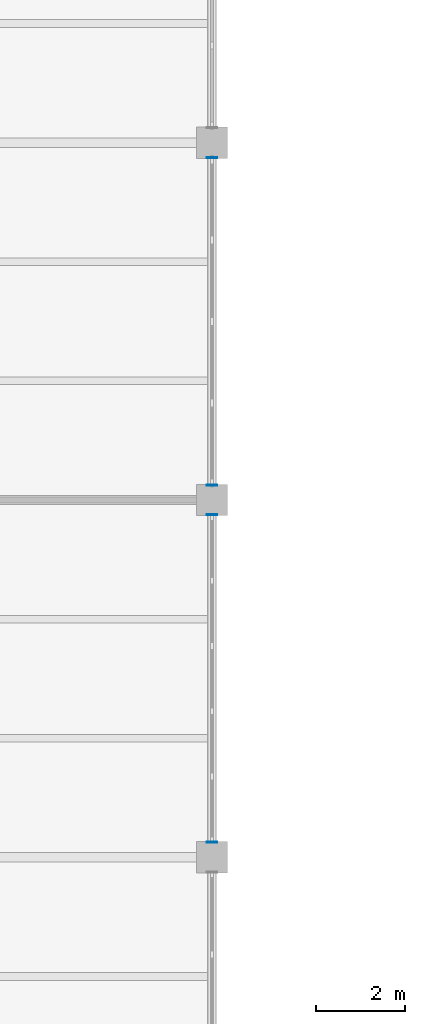
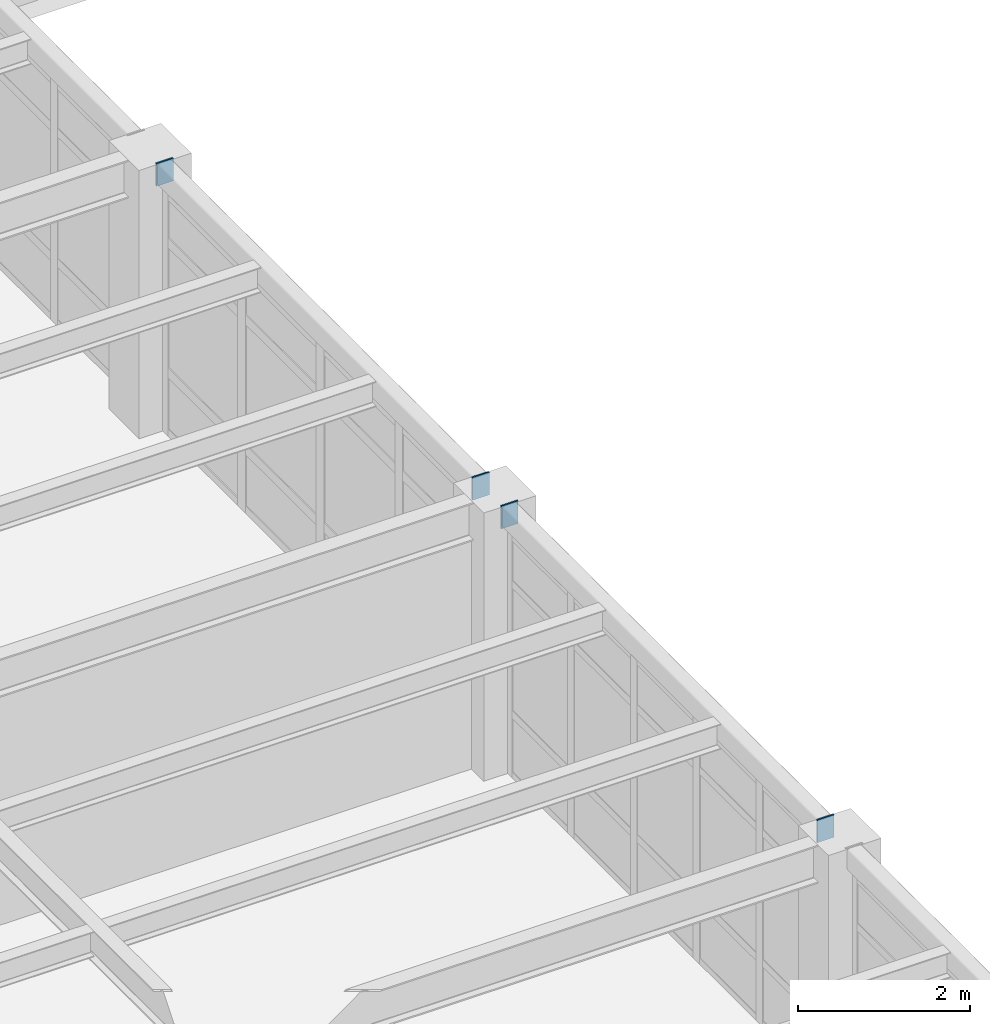
# One storey, part 101 of 138: 4 discrete accessories.
"""IFC4 building model written with IfcOpenShell, lengths in metres."""

from ifc_helpers import new_model, si_unit, direction, frame, origin, origin_2d, place, context, subcontext, project, spatial, rectangle, extrude, material, layer, layer_set, type_object, element, save


model = new_model("IFC4")

# Units and contexts
model_context = context("Model", 3, precision=1e-05, world=origin(), true_north=direction((0.0, 1.0)))
body_context = subcontext(model_context, "Body", "Model", "MODEL_VIEW")
ifc_project = project(units=[si_unit("LENGTHUNIT", "METRE"), si_unit("AREAUNIT", "SQUARE_METRE"), si_unit("VOLUMEUNIT", "CUBIC_METRE"), si_unit("PLANEANGLEUNIT", "RADIAN"), si_unit("MASSUNIT", "GRAM", prefix="KILO")], contexts=[model_context])

# Site, building, storey
site_placement = place(None, origin())
site = spatial("IfcSite", under=ifc_project, at=site_placement, CompositionType="ELEMENT")
building_placement = place(site_placement, origin())
building = spatial("IfcBuilding", under=site, at=building_placement, Name="Kranzveld Transit Interchange", CompositionType="ELEMENT")
storey_placement = place(building_placement, frame((0.0, 0.0, 5.43994140625)))
storey = spatial("IfcBuildingStorey", under=building, at=storey_placement, Name="L01", CompositionType="ELEMENT", Elevation=5.43994140625)

# Discrete accessories
ifc_material = material(Name="Steel S355JR", Category="steel")
ifc_layer = layer(ifc_material, 0.02001953125)
ifc_layer_set = layer_set([ifc_layer], Name="Steel S355JR")
discrete_accessory_type = type_object("IfcDiscreteAccessoryType", Name="Hollow Section End Cap Bracket 20 S355JR", PredefinedType="BRACKET", material=ifc_layer_set)
for number, where, z_axis, x_axis, name in (
    (1, (33.60009765625, 64.343994140625, 3.650146484375), (0.0, -1.0, 0.0), (1.0, 0.0, 0.0), "Hollow Section End Cap SP-RHS300-1"),
    (2, (33.60009765625, 71.656005859375, 3.650146484375), (0.0, 1.0, 0.0), (-1.0, 0.0, 0.0), "Hollow Section End Cap SP-RHS300-2"),
    (3, (33.60009765625, 72.343994140625, 3.650146484375), (0.0, -1.0, 0.0), (1.0, 0.0, 0.0), "Hollow Section End Cap SP-RHS300-1"),
    (4, (33.60009765625, 79.656005859375, 3.650146484375), (0.0, 1.0, 0.0), (-1.0, 0.0, 0.0), "Hollow Section End Cap SP-RHS300-2"),
):
    element("IfcDiscreteAccessory", number, at=place(storey_placement, frame(where, z_axis=z_axis, x_axis=x_axis)), inside=storey, type_object=discrete_accessory_type, Name=name, PredefinedType="BRACKET", context=body_context, shape_type="SweptSolid", body=[
        extrude(rectangle(XDim=0.22412109375, YDim=0.323974609375, at=origin_2d()), origin(), (0.0, 0.0, 1.0), 0.02001953125),
    ])

save(model, "model.ifc")
